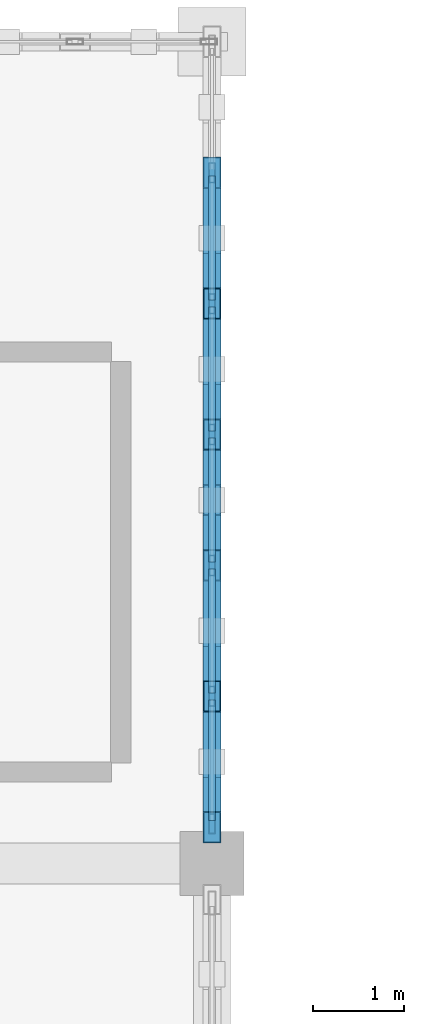
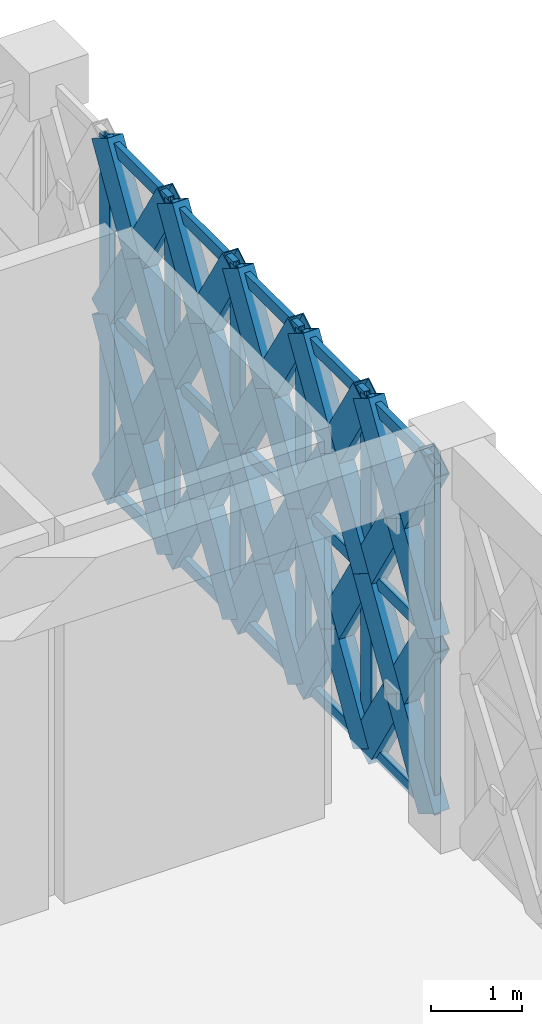
# One storey, part 49 of 72: 51 members, 1 element without a shape of its own.
"""IFC4 building model written with IfcOpenShell, lengths in metres."""

from ifc_helpers import new_model, si_unit, direction, frame, origin, origin_2d, place, context, subcontext, project, spatial, hollow_rectangle, extrude, material, material_profile, profile_set, type_object, element, aggregate, save


model = new_model("IFC4")

# Units and contexts
model_context = context("Model", 3, precision=1e-05, world=origin(), true_north=direction((0.0, 1.0)))
body_context = subcontext(model_context, "Body", "Model", "MODEL_VIEW")
ifc_project = project(units=[si_unit("LENGTHUNIT", "METRE"), si_unit("AREAUNIT", "SQUARE_METRE"), si_unit("VOLUMEUNIT", "CUBIC_METRE"), si_unit("PLANEANGLEUNIT", "RADIAN"), si_unit("MASSUNIT", "GRAM", prefix="KILO")], contexts=[model_context])

# Site, building, storey
site_placement = place(None, origin())
site = spatial("IfcSite", under=ifc_project, at=site_placement, CompositionType="ELEMENT")
building_placement = place(site_placement, origin())
building = spatial("IfcBuilding", under=site, at=building_placement, Name="Haizhuo Lancet Aquarium", CompositionType="ELEMENT")
storey_placement = place(building_placement, frame((0.0, 0.0, 21.60009765625)))
storey = spatial("IfcBuildingStorey", under=building, at=storey_placement, Name="L04", CompositionType="ELEMENT", Elevation=21.60009765625)

# Curtain wall, members
ifc_material_1 = material(Name="Aluminium 6063-T6", Category="aluminium")
curtain_wall_type = type_object("IfcCurtainWallType", Name="CWD-8600x4700", PredefinedType="NOTDEFINED", material=ifc_material_1)
curtain_wall_placement = place(storey_placement, origin())
curtain_wall = element("IfcCurtainWall", 1, at=curtain_wall_placement, inside=storey, type_object=curtain_wall_type, Name="L04 curtain wall CW-V5-L04-182", PredefinedType="NOTDEFINED")
ifc_material_profile_1 = material_profile(ifc_material_1, hollow_rectangle(XDim=0.074951171875, YDim=0.219970703125, WallThickness=0.0048828125, at=origin_2d()), Name="ALU-M 75x220x5")
ifc_profile_set_1 = profile_set([ifc_material_profile_1], Name="Aluminium 6063-T6")
member_type_1 = type_object("IfcMemberType", Name="CW-MUL-2", PredefinedType="MULLION", material=ifc_profile_set_1)
member_1_placement = place(storey_placement, frame((27.0, 52.56591796875, 0.0), z_axis=(0.0, 0.0, 1.0), x_axis=(1.0, 0.0, 0.0)))
member_1 = element("IfcMember", 2, at=member_1_placement, type_object=member_type_1, Name="CWD-86x47 mullion 2", PredefinedType="MULLION", context=body_context, shape_type="SweptSolid", body=[
    extrude(hollow_rectangle(XDim=0.074951171875, YDim=0.219970703125, WallThickness=0.0048828125, at=origin_2d()), origin(), (0.0, 0.0, 1.0), 4.699951171875),
])
member_2_placement = place(storey_placement, frame((27.0, 51.132080078125, 0.0), z_axis=(0.0, 0.0, 1.0), x_axis=(1.0, 0.0, 0.0)))
member_2 = element("IfcMember", 3, at=member_2_placement, type_object=member_type_1, Name="CWD-86x47 mullion 3", PredefinedType="MULLION", context=body_context, shape_type="SweptSolid", body=[
    extrude(hollow_rectangle(XDim=0.074951171875, YDim=0.219970703125, WallThickness=0.0048828125, at=origin_2d()), origin(), (0.0, 0.0, 1.0), 4.699951171875),
])
member_3_placement = place(storey_placement, frame((27.0, 49.697998046875, 0.0), z_axis=(0.0, 0.0, 1.0), x_axis=(1.0, 0.0, 0.0)))
member_3 = element("IfcMember", 4, at=member_3_placement, type_object=member_type_1, Name="CWD-86x47 mullion 4", PredefinedType="MULLION", context=body_context, shape_type="SweptSolid", body=[
    extrude(hollow_rectangle(XDim=0.074951171875, YDim=0.219970703125, WallThickness=0.0048828125, at=origin_2d()), origin(), (0.0, 0.0, 1.0), 4.699951171875),
])
member_4_placement = place(storey_placement, frame((27.0, 48.262939453125, 0.0), z_axis=(0.0, 0.0, 1.0), x_axis=(1.0, 0.0, 0.0)))
member_4 = element("IfcMember", 5, at=member_4_placement, type_object=member_type_1, Name="CWD-86x47 mullion 5", PredefinedType="MULLION", context=body_context, shape_type="SweptSolid", body=[
    extrude(hollow_rectangle(XDim=0.074951171875, YDim=0.219970703125, WallThickness=0.0048828125, at=origin_2d()), origin(), (0.0, 0.0, 1.0), 4.699951171875),
])
member_5_placement = place(storey_placement, frame((27.0, 46.8291015625, 0.0), z_axis=(0.0, 0.0, 1.0), x_axis=(1.0, 0.0, 0.0)))
member_5 = element("IfcMember", 6, at=member_5_placement, type_object=member_type_1, Name="CWD-86x47 mullion 6", PredefinedType="MULLION", context=body_context, shape_type="SweptSolid", body=[
    extrude(hollow_rectangle(XDim=0.074951171875, YDim=0.219970703125, WallThickness=0.0048828125, at=origin_2d()), origin(), (0.0, 0.0, 1.0), 4.699951171875),
])
member_6_placement = place(storey_placement, frame((27.0, 45.43310546875, 0.0), z_axis=(0.0, 0.0, 1.0), x_axis=(1.0, 0.0, 0.0)))
member_6 = element("IfcMember", 7, at=member_6_placement, type_object=member_type_1, Name="CWD-86x47 mullion 7", PredefinedType="MULLION", context=body_context, shape_type="SweptSolid", body=[
    extrude(hollow_rectangle(XDim=0.074951171875, YDim=0.219970703125, WallThickness=0.0048828125, at=origin_2d()), origin(), (0.0, 0.0, 1.0), 4.699951171875),
])
ifc_material_profile_2 = material_profile(ifc_material_1, hollow_rectangle(XDim=0.074951171875, YDim=0.159912109375, WallThickness=0.00390625, at=origin_2d()), Name="ALU-T 75x160x4")
ifc_profile_set_2 = profile_set([ifc_material_profile_2], Name="Aluminium 6063-T6")
member_type_2 = type_object("IfcMemberType", Name="CW-TRN-2", PredefinedType="NOTDEFINED", material=ifc_profile_set_2)
member_7_placement = place(storey_placement, frame((27.0, 52.528076171875, 0.037841796875), z_axis=(0.0, -1.0, 0.0), x_axis=(1.0, 0.0, 0.0)))
member_7 = element("IfcMember", 8, at=member_7_placement, type_object=member_type_2, Name="CWD-86x47 transom 2.1", ObjectType="TRANSOM", PredefinedType="USERDEFINED", context=body_context, shape_type="SweptSolid", body=[
    extrude(hollow_rectangle(XDim=0.074951171875, YDim=0.159912109375, WallThickness=0.00390625, at=origin_2d()), origin(), (0.0, 0.0, 1.0), 1.359130859375),
])
member_8_placement = place(storey_placement, frame((27.0, 52.528076171875, 2.349853515625), z_axis=(0.0, -1.0, 0.0), x_axis=(1.0, 0.0, 0.0)))
member_8 = element("IfcMember", 9, at=member_8_placement, type_object=member_type_2, Name="CWD-86x47 transom 2.2", ObjectType="TRANSOM", PredefinedType="USERDEFINED", context=body_context, shape_type="SweptSolid", body=[
    extrude(hollow_rectangle(XDim=0.074951171875, YDim=0.159912109375, WallThickness=0.00390625, at=origin_2d()), origin(), (0.0, 0.0, 1.0), 1.359130859375),
])
member_9_placement = place(storey_placement, frame((27.0, 52.528076171875, 4.661865234375), z_axis=(0.0, -1.0, 0.0), x_axis=(1.0, 0.0, 0.0)))
member_9 = element("IfcMember", 10, at=member_9_placement, type_object=member_type_2, Name="CWD-86x47 transom 2.3", ObjectType="TRANSOM", PredefinedType="USERDEFINED", context=body_context, shape_type="SweptSolid", body=[
    extrude(hollow_rectangle(XDim=0.074951171875, YDim=0.159912109375, WallThickness=0.00390625, at=origin_2d()), origin(), (0.0, 0.0, 1.0), 1.359130859375),
])
member_10_placement = place(storey_placement, frame((27.0, 51.093994140625, 0.037841796875), z_axis=(0.0, -1.0, 0.0), x_axis=(1.0, 0.0, 0.0)))
member_10 = element("IfcMember", 11, at=member_10_placement, type_object=member_type_2, Name="CWD-86x47 transom 3.1", ObjectType="TRANSOM", PredefinedType="USERDEFINED", context=body_context, shape_type="SweptSolid", body=[
    extrude(hollow_rectangle(XDim=0.074951171875, YDim=0.159912109375, WallThickness=0.00390625, at=origin_2d()), origin(), (0.0, 0.0, 1.0), 1.35888671875),
])
member_11_placement = place(storey_placement, frame((27.0, 51.093994140625, 2.349853515625), z_axis=(0.0, -1.0, 0.0), x_axis=(1.0, 0.0, 0.0)))
member_11 = element("IfcMember", 12, at=member_11_placement, type_object=member_type_2, Name="CWD-86x47 transom 3.2", ObjectType="TRANSOM", PredefinedType="USERDEFINED", context=body_context, shape_type="SweptSolid", body=[
    extrude(hollow_rectangle(XDim=0.074951171875, YDim=0.159912109375, WallThickness=0.00390625, at=origin_2d()), origin(), (0.0, 0.0, 1.0), 1.35888671875),
])
member_12_placement = place(storey_placement, frame((27.0, 51.093994140625, 4.661865234375), z_axis=(0.0, -1.0, 0.0), x_axis=(1.0, 0.0, 0.0)))
member_12 = element("IfcMember", 13, at=member_12_placement, type_object=member_type_2, Name="CWD-86x47 transom 3.3", ObjectType="TRANSOM", PredefinedType="USERDEFINED", context=body_context, shape_type="SweptSolid", body=[
    extrude(hollow_rectangle(XDim=0.074951171875, YDim=0.159912109375, WallThickness=0.00390625, at=origin_2d()), origin(), (0.0, 0.0, 1.0), 1.35888671875),
])
member_13_placement = place(storey_placement, frame((27.0, 49.659912109375, 0.037841796875), z_axis=(0.0, -1.0, 0.0), x_axis=(1.0, 0.0, 0.0)))
member_13 = element("IfcMember", 14, at=member_13_placement, type_object=member_type_2, Name="CWD-86x47 transom 4.1", ObjectType="TRANSOM", PredefinedType="USERDEFINED", context=body_context, shape_type="SweptSolid", body=[
    extrude(hollow_rectangle(XDim=0.074951171875, YDim=0.159912109375, WallThickness=0.00390625, at=origin_2d()), origin(), (0.0, 0.0, 1.0), 1.35888671875),
])
member_14_placement = place(storey_placement, frame((27.0, 49.659912109375, 2.349853515625), z_axis=(0.0, -1.0, 0.0), x_axis=(1.0, 0.0, 0.0)))
member_14 = element("IfcMember", 15, at=member_14_placement, type_object=member_type_2, Name="CWD-86x47 transom 4.2", ObjectType="TRANSOM", PredefinedType="USERDEFINED", context=body_context, shape_type="SweptSolid", body=[
    extrude(hollow_rectangle(XDim=0.074951171875, YDim=0.159912109375, WallThickness=0.00390625, at=origin_2d()), origin(), (0.0, 0.0, 1.0), 1.35888671875),
])
member_15_placement = place(storey_placement, frame((27.0, 49.659912109375, 4.661865234375), z_axis=(0.0, -1.0, 0.0), x_axis=(1.0, 0.0, 0.0)))
member_15 = element("IfcMember", 16, at=member_15_placement, type_object=member_type_2, Name="CWD-86x47 transom 4.3", ObjectType="TRANSOM", PredefinedType="USERDEFINED", context=body_context, shape_type="SweptSolid", body=[
    extrude(hollow_rectangle(XDim=0.074951171875, YDim=0.159912109375, WallThickness=0.00390625, at=origin_2d()), origin(), (0.0, 0.0, 1.0), 1.35888671875),
])
member_16_placement = place(storey_placement, frame((27.0, 48.22607421875, 0.037841796875), z_axis=(0.0, -1.0, 0.0), x_axis=(1.0, 0.0, 0.0)))
member_16 = element("IfcMember", 17, at=member_16_placement, type_object=member_type_2, Name="CWD-86x47 transom 5.1", ObjectType="TRANSOM", PredefinedType="USERDEFINED", context=body_context, shape_type="SweptSolid", body=[
    extrude(hollow_rectangle(XDim=0.074951171875, YDim=0.159912109375, WallThickness=0.00390625, at=origin_2d()), origin(), (0.0, 0.0, 1.0), 1.359130859375),
])
member_17_placement = place(storey_placement, frame((27.0, 48.22607421875, 2.349853515625), z_axis=(0.0, -1.0, 0.0), x_axis=(1.0, 0.0, 0.0)))
member_17 = element("IfcMember", 18, at=member_17_placement, type_object=member_type_2, Name="CWD-86x47 transom 5.2", ObjectType="TRANSOM", PredefinedType="USERDEFINED", context=body_context, shape_type="SweptSolid", body=[
    extrude(hollow_rectangle(XDim=0.074951171875, YDim=0.159912109375, WallThickness=0.00390625, at=origin_2d()), origin(), (0.0, 0.0, 1.0), 1.359130859375),
])
member_18_placement = place(storey_placement, frame((27.0, 48.22607421875, 4.661865234375), z_axis=(0.0, -1.0, 0.0), x_axis=(1.0, 0.0, 0.0)))
member_18 = element("IfcMember", 19, at=member_18_placement, type_object=member_type_2, Name="CWD-86x47 transom 5.3", ObjectType="TRANSOM", PredefinedType="USERDEFINED", context=body_context, shape_type="SweptSolid", body=[
    extrude(hollow_rectangle(XDim=0.074951171875, YDim=0.159912109375, WallThickness=0.00390625, at=origin_2d()), origin(), (0.0, 0.0, 1.0), 1.359130859375),
])
member_19_placement = place(storey_placement, frame((27.0, 46.7919921875, 0.037841796875), z_axis=(0.0, -1.0, 0.0), x_axis=(1.0, 0.0, 0.0)))
member_19 = element("IfcMember", 20, at=member_19_placement, type_object=member_type_2, Name="CWD-86x47 transom 6.1", ObjectType="TRANSOM", PredefinedType="USERDEFINED", context=body_context, shape_type="SweptSolid", body=[
    extrude(hollow_rectangle(XDim=0.074951171875, YDim=0.159912109375, WallThickness=0.00390625, at=origin_2d()), origin(), (0.0, 0.0, 1.0), 1.322021484375),
])
member_20_placement = place(storey_placement, frame((27.0, 46.7919921875, 2.349853515625), z_axis=(0.0, -1.0, 0.0), x_axis=(1.0, 0.0, 0.0)))
member_20 = element("IfcMember", 21, at=member_20_placement, type_object=member_type_2, Name="CWD-86x47 transom 6.2", ObjectType="TRANSOM", PredefinedType="USERDEFINED", context=body_context, shape_type="SweptSolid", body=[
    extrude(hollow_rectangle(XDim=0.074951171875, YDim=0.159912109375, WallThickness=0.00390625, at=origin_2d()), origin(), (0.0, 0.0, 1.0), 1.322021484375),
])
member_21_placement = place(storey_placement, frame((27.0, 46.7919921875, 4.661865234375), z_axis=(0.0, -1.0, 0.0), x_axis=(1.0, 0.0, 0.0)))
member_21 = element("IfcMember", 22, at=member_21_placement, type_object=member_type_2, Name="CWD-86x47 transom 6.3", ObjectType="TRANSOM", PredefinedType="USERDEFINED", context=body_context, shape_type="SweptSolid", body=[
    extrude(hollow_rectangle(XDim=0.074951171875, YDim=0.159912109375, WallThickness=0.00390625, at=origin_2d()), origin(), (0.0, 0.0, 1.0), 1.322021484375),
])
aggregate(curtain_wall, [member_1, member_2, member_3, member_4, member_5, member_6, member_7, member_8, member_9, member_10, member_11, member_12, member_13, member_14, member_15, member_16, member_17, member_18, member_19, member_20, member_21])

# Members
ifc_material_2 = material(Name="Steel S355", Category="steel")
ifc_material_profile_3 = material_profile(ifc_material_2, hollow_rectangle(XDim=0.199951171875, YDim=0.39990234375, WallThickness=0.011962890625, at=origin_2d()), Name="RHS 200x400x12")
ifc_profile_set_3 = profile_set([ifc_material_profile_3], Name="Steel S355")
member_type_3 = type_object("IfcMemberType", Name="MEM-LB-RHS200x400", PredefinedType="BRACE", material=ifc_profile_set_3)
member_22_placement = place(storey_placement, frame((27.0, 52.56591796875, 0.0), z_axis=(0.0, -0.520872313325, 0.853634601695), x_axis=(1.0, 0.0, 0.0)))
element("IfcMember", 23, at=member_22_placement, inside=storey, type_object=member_type_3, Name="Gothic lancet continuous diagonal brace CW-V5-L04-182 3A", PredefinedType="BRACE", context=body_context, shape_type="SweptSolid", body=[
    extrude(hollow_rectangle(XDim=0.199951171875, YDim=0.39990234375, WallThickness=0.011962890625, at=origin_2d()), origin(), (0.0, 0.0, 1.0), 2.752685546875),
])
member_23_placement = place(storey_placement, frame((27.0, 51.132080078125, 0.0), z_axis=(0.0, 0.520976374056, 0.853571097024), x_axis=(-1.0, 0.0, 0.0)))
element("IfcMember", 24, at=member_23_placement, inside=storey, type_object=member_type_3, Name="Gothic lancet split diagonal brace CW-V5-L04-182 3B1", PredefinedType="BRACE", context=body_context, shape_type="SweptSolid", body=[
    extrude(hollow_rectangle(XDim=0.199951171875, YDim=0.39990234375, WallThickness=0.011962890625, at=origin_2d()), origin(), (0.0, 0.0, 1.0), 1.376220703125),
])
member_24_placement = place(storey_placement, frame((27.0, 51.84912109375, 1.1748046875), z_axis=(0.0, 0.520768250996, 0.853698089933), x_axis=(-1.0, 0.0, 0.0)))
element("IfcMember", 25, at=member_24_placement, inside=storey, type_object=member_type_3, Name="Gothic lancet split diagonal brace CW-V5-L04-182 3B2", PredefinedType="BRACE", context=body_context, shape_type="SweptSolid", body=[
    extrude(hollow_rectangle(XDim=0.199951171875, YDim=0.39990234375, WallThickness=0.011962890625, at=origin_2d()), origin(), (0.0, 0.0, 1.0), 1.37646484375),
])
member_25_placement = place(storey_placement, frame((27.0, 52.56591796875, 2.349853515625), z_axis=(0.0, -0.520832881417, 0.853658661079), x_axis=(1.0, 0.0, 0.0)))
element("IfcMember", 26, at=member_25_placement, inside=storey, type_object=member_type_3, Name="Gothic lancet continuous diagonal brace CW-V5-L04-182 4A", PredefinedType="BRACE", context=body_context, shape_type="SweptSolid", body=[
    extrude(hollow_rectangle(XDim=0.199951171875, YDim=0.39990234375, WallThickness=0.011962890625, at=origin_2d()), origin(), (0.0, 0.0, 1.0), 2.7529296875),
])
for number, where, z_axis, x_axis, name in (
    (27, (27.0, 51.132080078125, 2.349853515625), (0.0, 0.520897502883, 0.853619230975), (-1.0, 0.0, 0.0), "Gothic lancet split diagonal brace CW-V5-L04-182 4B1"),
    (28, (27.0, 51.84912109375, 3.52490234375), (0.0, 0.520768250996, 0.853698089933), (-1.0, 0.0, 0.0), "Gothic lancet split diagonal brace CW-V5-L04-182 4B2"),
):
    element("IfcMember", number, at=place(storey_placement, frame(where, z_axis=z_axis, x_axis=x_axis)), inside=storey, type_object=member_type_3, Name=name, PredefinedType="BRACE", context=body_context, shape_type="SweptSolid", body=[
        extrude(hollow_rectangle(XDim=0.199951171875, YDim=0.39990234375, WallThickness=0.011962890625, at=origin_2d()), origin(), (0.0, 0.0, 1.0), 1.37646484375),
    ])
member_26_placement = place(storey_placement, frame((27.0, 51.132080078125, 0.0), z_axis=(0.0, -0.52093693604, 0.853595166732), x_axis=(1.0, 0.0, 0.0)))
element("IfcMember", 29, at=member_26_placement, inside=storey, type_object=member_type_3, Name="Gothic lancet continuous diagonal brace CW-V5-L04-182 5A", PredefinedType="BRACE", context=body_context, shape_type="SweptSolid", body=[
    extrude(hollow_rectangle(XDim=0.199951171875, YDim=0.39990234375, WallThickness=0.011962890625, at=origin_2d()), origin(), (0.0, 0.0, 1.0), 2.7529296875),
])
member_27_placement = place(storey_placement, frame((27.0, 49.697998046875, 0.0), z_axis=(0.0, 0.520976374056, 0.853571097024), x_axis=(-1.0, 0.0, 0.0)))
element("IfcMember", 30, at=member_27_placement, inside=storey, type_object=member_type_3, Name="Gothic lancet split diagonal brace CW-V5-L04-182 5B1", PredefinedType="BRACE", context=body_context, shape_type="SweptSolid", body=[
    extrude(hollow_rectangle(XDim=0.199951171875, YDim=0.39990234375, WallThickness=0.011962890625, at=origin_2d()), origin(), (0.0, 0.0, 1.0), 1.376220703125),
])
member_28_placement = place(storey_placement, frame((27.0, 50.4150390625, 1.1748046875), z_axis=(0.0, 0.520897502883, 0.853619230975), x_axis=(-1.0, 0.0, 0.0)))
element("IfcMember", 31, at=member_28_placement, inside=storey, type_object=member_type_3, Name="Gothic lancet split diagonal brace CW-V5-L04-182 5B2", PredefinedType="BRACE", context=body_context, shape_type="SweptSolid", body=[
    extrude(hollow_rectangle(XDim=0.199951171875, YDim=0.39990234375, WallThickness=0.011962890625, at=origin_2d()), origin(), (0.0, 0.0, 1.0), 1.37646484375),
])
member_29_placement = place(storey_placement, frame((27.0, 51.132080078125, 2.349853515625), z_axis=(0.0, -0.520897502883, 0.853619230975), x_axis=(1.0, 0.0, 0.0)))
element("IfcMember", 32, at=member_29_placement, inside=storey, type_object=member_type_3, Name="Gothic lancet continuous diagonal brace CW-V5-L04-182 6A", PredefinedType="BRACE", context=body_context, shape_type="SweptSolid", body=[
    extrude(hollow_rectangle(XDim=0.199951171875, YDim=0.39990234375, WallThickness=0.011962890625, at=origin_2d()), origin(), (0.0, 0.0, 1.0), 2.753173828125),
])
for number, where, z_axis, x_axis, name in (
    (33, (27.0, 49.697998046875, 2.349853515625), (0.0, 0.520897502883, 0.853619230975), (-1.0, 0.0, 0.0), "Gothic lancet split diagonal brace CW-V5-L04-182 6B1"),
    (34, (27.0, 50.4150390625, 3.52490234375), (0.0, 0.520897502883, 0.853619230975), (-1.0, 0.0, 0.0), "Gothic lancet split diagonal brace CW-V5-L04-182 6B2"),
):
    element("IfcMember", number, at=place(storey_placement, frame(where, z_axis=z_axis, x_axis=x_axis)), inside=storey, type_object=member_type_3, Name=name, PredefinedType="BRACE", context=body_context, shape_type="SweptSolid", body=[
        extrude(hollow_rectangle(XDim=0.199951171875, YDim=0.39990234375, WallThickness=0.011962890625, at=origin_2d()), origin(), (0.0, 0.0, 1.0), 1.37646484375),
    ])
member_30_placement = place(storey_placement, frame((27.0, 49.697998046875, 0.0), z_axis=(0.0, -0.521195337346, 0.853437414418), x_axis=(1.0, 0.0, 0.0)))
element("IfcMember", 35, at=member_30_placement, inside=storey, type_object=member_type_3, Name="Gothic lancet continuous diagonal brace CW-V5-L04-182 7A", PredefinedType="BRACE", context=body_context, shape_type="SweptSolid", body=[
    extrude(hollow_rectangle(XDim=0.199951171875, YDim=0.39990234375, WallThickness=0.011962890625, at=origin_2d()), origin(), (0.0, 0.0, 1.0), 2.75341796875),
])
member_31_placement = place(storey_placement, frame((27.0, 48.262939453125, 0.0), z_axis=(0.0, 0.520976374056, 0.853571097024), x_axis=(-1.0, 0.0, 0.0)))
element("IfcMember", 36, at=member_31_placement, inside=storey, type_object=member_type_3, Name="Gothic lancet split diagonal brace CW-V5-L04-182 7B1", PredefinedType="BRACE", context=body_context, shape_type="SweptSolid", body=[
    extrude(hollow_rectangle(XDim=0.199951171875, YDim=0.39990234375, WallThickness=0.011962890625, at=origin_2d()), origin(), (0.0, 0.0, 1.0), 1.376220703125),
])
member_32_placement = place(storey_placement, frame((27.0, 48.97998046875, 1.1748046875), z_axis=(0.0, 0.521414152296, 0.853303745325), x_axis=(-1.0, 0.0, 0.0)))
element("IfcMember", 37, at=member_32_placement, inside=storey, type_object=member_type_3, Name="Gothic lancet split diagonal brace CW-V5-L04-182 7B2", PredefinedType="BRACE", context=body_context, shape_type="SweptSolid", body=[
    extrude(hollow_rectangle(XDim=0.199951171875, YDim=0.39990234375, WallThickness=0.011962890625, at=origin_2d()), origin(), (0.0, 0.0, 1.0), 1.376953125),
])
member_33_placement = place(storey_placement, frame((27.0, 49.697998046875, 2.349853515625), z_axis=(0.0, -0.521155899207, 0.85346149809), x_axis=(1.0, 0.0, 0.0)))
element("IfcMember", 38, at=member_33_placement, inside=storey, type_object=member_type_3, Name="Gothic lancet continuous diagonal brace CW-V5-L04-182 8A", PredefinedType="BRACE", context=body_context, shape_type="SweptSolid", body=[
    extrude(hollow_rectangle(XDim=0.199951171875, YDim=0.39990234375, WallThickness=0.011962890625, at=origin_2d()), origin(), (0.0, 0.0, 1.0), 2.753662109375),
])
member_34_placement = place(storey_placement, frame((27.0, 48.262939453125, 2.349853515625), z_axis=(0.0, 0.520897502883, 0.853619230975), x_axis=(-1.0, 0.0, 0.0)))
element("IfcMember", 39, at=member_34_placement, inside=storey, type_object=member_type_3, Name="Gothic lancet split diagonal brace CW-V5-L04-182 8B1", PredefinedType="BRACE", context=body_context, shape_type="SweptSolid", body=[
    extrude(hollow_rectangle(XDim=0.199951171875, YDim=0.39990234375, WallThickness=0.011962890625, at=origin_2d()), origin(), (0.0, 0.0, 1.0), 1.37646484375),
])
member_35_placement = place(storey_placement, frame((27.0, 48.97998046875, 3.52490234375), z_axis=(0.0, 0.521414152296, 0.853303745325), x_axis=(-1.0, 0.0, 0.0)))
element("IfcMember", 40, at=member_35_placement, inside=storey, type_object=member_type_3, Name="Gothic lancet split diagonal brace CW-V5-L04-182 8B2", PredefinedType="BRACE", context=body_context, shape_type="SweptSolid", body=[
    extrude(hollow_rectangle(XDim=0.199951171875, YDim=0.39990234375, WallThickness=0.011962890625, at=origin_2d()), origin(), (0.0, 0.0, 1.0), 1.376953125),
])
member_36_placement = place(storey_placement, frame((27.0, 48.262939453125, 0.0), z_axis=(0.0, -0.520872313325, 0.853634601695), x_axis=(1.0, 0.0, 0.0)))
element("IfcMember", 41, at=member_36_placement, inside=storey, type_object=member_type_3, Name="Gothic lancet continuous diagonal brace CW-V5-L04-182 9A", PredefinedType="BRACE", context=body_context, shape_type="SweptSolid", body=[
    extrude(hollow_rectangle(XDim=0.199951171875, YDim=0.39990234375, WallThickness=0.011962890625, at=origin_2d()), origin(), (0.0, 0.0, 1.0), 2.752685546875),
])
member_37_placement = place(storey_placement, frame((27.0, 46.8291015625, 0.0), z_axis=(0.0, 0.520847117172, 0.853649975419), x_axis=(-1.0, 0.0, 0.0)))
element("IfcMember", 42, at=member_37_placement, inside=storey, type_object=member_type_3, Name="Gothic lancet split diagonal brace CW-V5-L04-182 9B1", PredefinedType="BRACE", context=body_context, shape_type="SweptSolid", body=[
    extrude(hollow_rectangle(XDim=0.199951171875, YDim=0.39990234375, WallThickness=0.011962890625, at=origin_2d()), origin(), (0.0, 0.0, 1.0), 1.376220703125),
])
member_38_placement = place(storey_placement, frame((27.0, 47.5458984375, 1.1748046875), z_axis=(0.0, 0.520897502883, 0.853619230975), x_axis=(-1.0, 0.0, 0.0)))
element("IfcMember", 43, at=member_38_placement, inside=storey, type_object=member_type_3, Name="Gothic lancet split diagonal brace CW-V5-L04-182 9B2", PredefinedType="BRACE", context=body_context, shape_type="SweptSolid", body=[
    extrude(hollow_rectangle(XDim=0.199951171875, YDim=0.39990234375, WallThickness=0.011962890625, at=origin_2d()), origin(), (0.0, 0.0, 1.0), 1.37646484375),
])
member_39_placement = place(storey_placement, frame((27.0, 48.262939453125, 2.349853515625), z_axis=(0.0, -0.520832881417, 0.853658661079), x_axis=(1.0, 0.0, 0.0)))
element("IfcMember", 44, at=member_39_placement, inside=storey, type_object=member_type_3, Name="Gothic lancet continuous diagonal brace CW-V5-L04-182 10A", PredefinedType="BRACE", context=body_context, shape_type="SweptSolid", body=[
    extrude(hollow_rectangle(XDim=0.199951171875, YDim=0.39990234375, WallThickness=0.011962890625, at=origin_2d()), origin(), (0.0, 0.0, 1.0), 2.7529296875),
])
for number, where, z_axis, x_axis, name in (
    (45, (27.0, 46.8291015625, 2.349853515625), (0.0, 0.520768250996, 0.853698089933), (-1.0, 0.0, 0.0), "Gothic lancet split diagonal brace CW-V5-L04-182 10B1"),
    (46, (27.0, 47.5458984375, 3.52490234375), (0.0, 0.520897502883, 0.853619230975), (-1.0, 0.0, 0.0), "Gothic lancet split diagonal brace CW-V5-L04-182 10B2"),
):
    element("IfcMember", number, at=place(storey_placement, frame(where, z_axis=z_axis, x_axis=x_axis)), inside=storey, type_object=member_type_3, Name=name, PredefinedType="BRACE", context=body_context, shape_type="SweptSolid", body=[
        extrude(hollow_rectangle(XDim=0.199951171875, YDim=0.39990234375, WallThickness=0.011962890625, at=origin_2d()), origin(), (0.0, 0.0, 1.0), 1.37646484375),
    ])
member_40_placement = place(storey_placement, frame((27.0, 46.8291015625, 0.0), z_axis=(0.0, -0.52093693604, 0.853595166732), x_axis=(1.0, 0.0, 0.0)))
element("IfcMember", 47, at=member_40_placement, inside=storey, type_object=member_type_3, Name="Gothic lancet continuous diagonal brace CW-V5-L04-182 11A", PredefinedType="BRACE", context=body_context, shape_type="SweptSolid", body=[
    extrude(hollow_rectangle(XDim=0.199951171875, YDim=0.39990234375, WallThickness=0.011962890625, at=origin_2d()), origin(), (0.0, 0.0, 1.0), 2.7529296875),
])
member_41_placement = place(storey_placement, frame((27.0, 45.39501953125, 0.0), z_axis=(0.0, 0.520976374056, 0.853571097024), x_axis=(-1.0, 0.0, 0.0)))
element("IfcMember", 48, at=member_41_placement, inside=storey, type_object=member_type_3, Name="Gothic lancet split diagonal brace CW-V5-L04-182 11B1", PredefinedType="BRACE", context=body_context, shape_type="SweptSolid", body=[
    extrude(hollow_rectangle(XDim=0.199951171875, YDim=0.39990234375, WallThickness=0.011962890625, at=origin_2d()), origin(), (0.0, 0.0, 1.0), 1.376220703125),
])
member_42_placement = place(storey_placement, frame((27.0, 46.112060546875, 1.1748046875), z_axis=(0.0, 0.520897502883, 0.853619230975), x_axis=(-1.0, 0.0, 0.0)))
element("IfcMember", 49, at=member_42_placement, inside=storey, type_object=member_type_3, Name="Gothic lancet split diagonal brace CW-V5-L04-182 11B2", PredefinedType="BRACE", context=body_context, shape_type="SweptSolid", body=[
    extrude(hollow_rectangle(XDim=0.199951171875, YDim=0.39990234375, WallThickness=0.011962890625, at=origin_2d()), origin(), (0.0, 0.0, 1.0), 1.37646484375),
])
member_43_placement = place(storey_placement, frame((27.0, 46.8291015625, 2.349853515625), z_axis=(0.0, -0.520897502883, 0.853619230975), x_axis=(1.0, 0.0, 0.0)))
element("IfcMember", 50, at=member_43_placement, inside=storey, type_object=member_type_3, Name="Gothic lancet continuous diagonal brace CW-V5-L04-182 12A", PredefinedType="BRACE", context=body_context, shape_type="SweptSolid", body=[
    extrude(hollow_rectangle(XDim=0.199951171875, YDim=0.39990234375, WallThickness=0.011962890625, at=origin_2d()), origin(), (0.0, 0.0, 1.0), 2.753173828125),
])
for number, where, z_axis, x_axis, name in (
    (51, (27.0, 45.39501953125, 2.349853515625), (0.0, 0.520897502883, 0.853619230975), (-1.0, 0.0, 0.0), "Gothic lancet split diagonal brace CW-V5-L04-182 12B1"),
    (52, (27.0, 46.112060546875, 3.52490234375), (0.0, 0.520897502883, 0.853619230975), (-1.0, 0.0, 0.0), "Gothic lancet split diagonal brace CW-V5-L04-182 12B2"),
):
    element("IfcMember", number, at=place(storey_placement, frame(where, z_axis=z_axis, x_axis=x_axis)), inside=storey, type_object=member_type_3, Name=name, PredefinedType="BRACE", context=body_context, shape_type="SweptSolid", body=[
        extrude(hollow_rectangle(XDim=0.199951171875, YDim=0.39990234375, WallThickness=0.011962890625, at=origin_2d()), origin(), (0.0, 0.0, 1.0), 1.37646484375),
    ])

save(model, "model.ifc")
